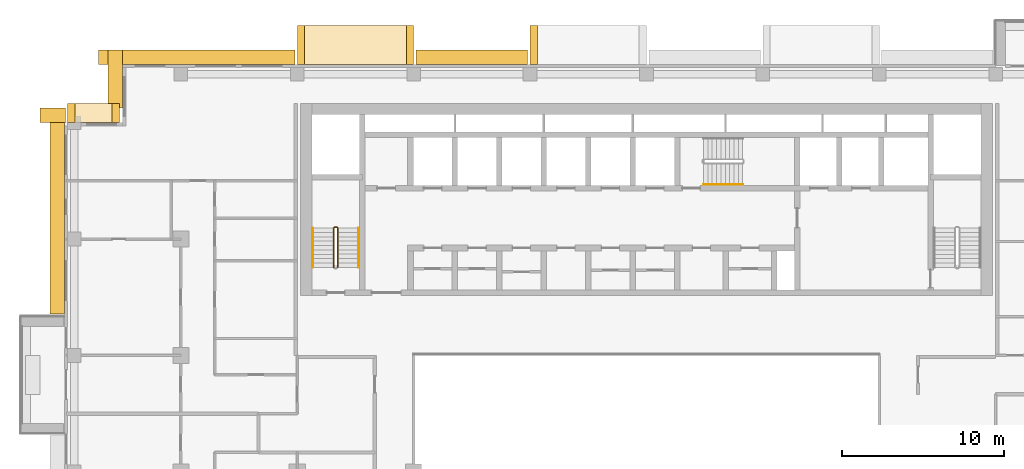
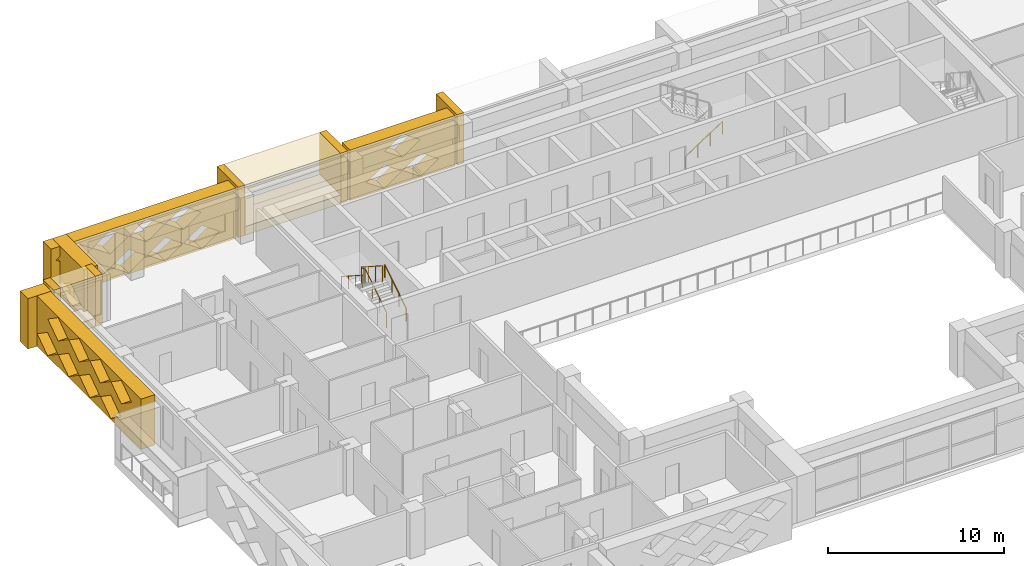
# One storey, part 17 of 19: 14 coverings, 4 railings.
"""IFC4 building model written with IfcOpenShell, lengths in metres."""

from ifc_helpers import new_model, si_unit, direction, frame, origin, origin_2d, place, context, subcontext, project, spatial, polyline, circle, outline, extrude, material, type_object, element, save


model = new_model("IFC4")

# Units and contexts
model_context = context("Model", 3, precision=1e-05, world=origin(), true_north=direction((0.0, 1.0)))
body_context = subcontext(model_context, "Body", "Model", "MODEL_VIEW")
ifc_project = project(units=[si_unit("LENGTHUNIT", "METRE"), si_unit("AREAUNIT", "SQUARE_METRE"), si_unit("VOLUMEUNIT", "CUBIC_METRE"), si_unit("PLANEANGLEUNIT", "RADIAN"), si_unit("MASSUNIT", "GRAM", prefix="KILO")], contexts=[model_context])

# Site, building, storey
site_placement = place(None, origin())
site = spatial("IfcSite", under=ifc_project, at=site_placement, CompositionType="ELEMENT")
building_placement = place(site_placement, origin())
building = spatial("IfcBuilding", under=site, at=building_placement, Name="Saffron Iwan Residences", CompositionType="ELEMENT")
storey_placement = place(building_placement, frame((0.0, 0.0, 160.5)))
storey = spatial("IfcBuildingStorey", under=building, at=storey_placement, Name="L42", CompositionType="ELEMENT", Elevation=160.5)

# Coverings
ifc_material_1 = material(Name="Precast concrete C40/50", Category="concrete")
covering_type_1 = type_object("IfcCoveringType", Name="OUTER SKIN LATTICE SCREEN", PredefinedType="CLADDING", material=ifc_material_1)
covering_1_placement = place(storey_placement, frame((43.050048828125, 80.39990234375, -0.300048828125), z_axis=(0.0, 1.0, 0.0), x_axis=(-1.0, 0.0, 0.0)))
element("IfcCovering", 1, at=covering_1_placement, inside=storey, type_object=covering_type_1, Name="OUTER SKIN lattice screen L42 F5.3", PredefinedType="CLADDING", context=body_context, shape_type="SweptSolid", body=[
    extrude(outline(polyline([(0.0, 0.0), (6.89990234375, 0.0), (6.89990234375, 3.5), (0.0, 3.5), (0.0, 0.0)]), holes=[polyline([(1.070068359375, 0.875), (2.25, 0.06005859375), (3.429931640625, 0.875), (2.25, 1.68994140625), (1.070068359375, 0.875)]), polyline([(3.469970703125, 0.875), (4.64990234375, 0.06005859375), (5.830078125, 0.875), (4.64990234375, 1.68994140625), (3.469970703125, 0.875)]), polyline([(2.27001953125, 2.625), (3.449951171875, 1.81005859375), (4.6298828125, 2.625), (3.449951171875, 3.43994140625), (2.27001953125, 2.625)])]), origin(), (0.0, 0.0, 1.0), 0.900146484375),
])
covering_2_placement = place(storey_placement, frame((28.64990234375, 80.39990234375, -0.300048828125), z_axis=(0.0, 1.0, 0.0), x_axis=(-1.0, 0.0, 0.0)))
element("IfcCovering", 2, at=covering_2_placement, inside=storey, type_object=covering_type_1, Name="OUTER SKIN lattice screen L42 F5.4", PredefinedType="CLADDING", context=body_context, shape_type="SweptSolid", body=[
    extrude(outline(polyline([(0.0, 0.0), (12.14990234375, 0.0), (12.14990234375, 3.5), (0.0, 3.5), (0.0, 0.0)]), holes=[polyline([(1.070068359375, 0.875), (2.25, 0.06005859375), (3.429931640625, 0.875), (2.25, 1.68994140625), (1.070068359375, 0.875)]), polyline([(3.469970703125, 0.875), (4.64990234375, 0.06005859375), (5.830078125, 0.875), (4.64990234375, 1.68994140625), (3.469970703125, 0.875)]), polyline([(5.8701171875, 0.875), (7.050048828125, 0.06005859375), (8.22998046875, 0.875), (7.050048828125, 1.68994140625), (5.8701171875, 0.875)]), polyline([(8.27001953125, 0.875), (9.449951171875, 0.06005859375), (10.6298828125, 0.875), (9.449951171875, 1.68994140625), (8.27001953125, 0.875)]), polyline([(2.27001953125, 2.625), (3.449951171875, 1.81005859375), (4.6298828125, 2.625), (3.449951171875, 3.43994140625), (2.27001953125, 2.625)]), polyline([(4.669921875, 2.625), (5.85009765625, 1.81005859375), (7.030029296875, 2.625), (5.85009765625, 3.43994140625), (4.669921875, 2.625)]), polyline([(7.070068359375, 2.625), (8.25, 1.81005859375), (9.429931640625, 2.625), (8.25, 3.43994140625), (7.070068359375, 2.625)]), polyline([(9.469970703125, 2.625), (10.64990234375, 1.81005859375), (11.830078125, 2.625), (10.64990234375, 3.43994140625), (9.469970703125, 2.625)])]), origin(), (0.0, 0.0, 1.0), 0.900146484375),
])
covering_3_placement = place(storey_placement, frame((18.0, 81.300048828125, -0.300048828125), z_axis=(-1.0, 0.0, 0.0), x_axis=(0.0, -1.0, 0.0)))
element("IfcCovering", 3, at=covering_3_placement, inside=storey, type_object=covering_type_1, Name="OUTER SKIN lattice screen L42 F6.0", PredefinedType="CLADDING", context=body_context, shape_type="SweptSolid", body=[
    extrude(outline(polyline([(0.0, 0.0), (3.60009765625, 0.0), (3.60009765625, 3.5), (0.0, 3.5), (0.0, 0.0)]), holes=[polyline([(0.919921875, 0.875), (2.10009765625, 0.06005859375), (3.280029296875, 0.875), (2.10009765625, 1.68994140625), (0.919921875, 0.875)])]), origin(), (0.0, 0.0, 1.0), 0.89990234375),
])
covering_4_placement = place(storey_placement, frame((14.449951171875, 76.800048828125, -0.300048828125), z_axis=(0.0, 1.0, 0.0), x_axis=(-1.0, 0.0, 0.0)))
element("IfcCovering", 4, at=covering_4_placement, inside=storey, type_object=covering_type_1, Name="OUTER SKIN lattice screen L42 F7.0", PredefinedType="CLADDING", context=body_context, shape_type="SweptSolid", body=[
    extrude(outline(polyline([(0.0, 0.0), (1.550048828125, 0.0), (1.550048828125, 3.5), (0.0, 3.5), (0.0, 0.0)])), origin(), (0.0, 0.0, 1.0), 0.89990234375),
])
covering_5_placement = place(storey_placement, frame((14.39990234375, 77.699951171875, -0.300048828125), z_axis=(-1.0, 0.0, 0.0), x_axis=(0.0, -1.0, 0.0)))
element("IfcCovering", 5, at=covering_5_placement, inside=storey, type_object=covering_type_1, Name="OUTER SKIN lattice screen L42 F8.0", PredefinedType="CLADDING", context=body_context, shape_type="SweptSolid", body=[
    extrude(outline(polyline([(0.0, 0.0), (12.75, 0.0), (12.75, 3.5), (0.0, 3.5), (0.0, 0.0)]), holes=[polyline([(0.919921875, 0.875), (2.10009765625, 0.06005859375), (3.280029296875, 0.875), (2.10009765625, 1.68994140625), (0.919921875, 0.875)]), polyline([(3.320068359375, 0.875), (4.5, 0.06005859375), (5.679931640625, 0.875), (4.5, 1.68994140625), (3.320068359375, 0.875)]), polyline([(5.719970703125, 0.875), (6.89990234375, 0.06005859375), (8.080078125, 0.875), (6.89990234375, 1.68994140625), (5.719970703125, 0.875)]), polyline([(8.1201171875, 0.875), (9.300048828125, 0.06005859375), (10.47998046875, 0.875), (9.300048828125, 1.68994140625), (8.1201171875, 0.875)]), polyline([(2.1201171875, 2.625), (3.300048828125, 1.81005859375), (4.47998046875, 2.625), (3.300048828125, 3.43994140625), (2.1201171875, 2.625)]), polyline([(4.52001953125, 2.625), (5.699951171875, 1.81005859375), (6.8798828125, 2.625), (5.699951171875, 3.43994140625), (4.52001953125, 2.625)]), polyline([(6.919921875, 2.625), (8.10009765625, 1.81005859375), (9.280029296875, 2.625), (8.10009765625, 3.43994140625), (6.919921875, 2.625)]), polyline([(9.320068359375, 2.625), (10.5, 1.81005859375), (11.679931640625, 2.625), (10.5, 3.43994140625), (9.320068359375, 2.625)])]), origin(), (0.0, 0.0, 1.0), 0.89990234375),
])

# Railings
ifc_material_2 = material(Name="Steel S355", Category="steel")
railing_type_1 = type_object("IfcRailingType", Name="Stair guard 1100", PredefinedType="GUARDRAIL", material=ifc_material_2)
railing_1_placement = place(storey_placement, frame((31.300048828125, 67.85009765625, 0.175048828125)))
element("IfcRailing", 6, at=railing_1_placement, inside=storey, type_object=railing_type_1, Name="L42 ST-W stair guard 1", PredefinedType="GUARDRAIL", context=body_context, shape_type="SweptSolid", body=[
    extrude(circle(Radius=0.02392578125, at=origin_2d()), frame((0.0, 0.0, 1.076171875), z_axis=(0.0, 0.839153699163, 0.543894354798), x_axis=(-1.0, 0.0, 0.0)), (0.0, 0.0, 1.0), 2.895751953125),
    extrude(circle(Radius=0.02392578125, at=origin_2d()), frame((0.0, 2.429931640625, 2.65087890625), z_axis=(-0.707106781187, 0.707106781187, 0.0), x_axis=(-0.707106781187, -0.707106781187, 0.0)), (0.0, 0.0, 1.0), 0.07080078125),
    extrude(circle(Radius=0.02392578125, at=origin_2d()), frame((-0.050048828125, 2.47998046875, 2.65087890625), z_axis=(-1.0, 0.0, 0.0), x_axis=(0.0, -1.0, 0.0)), (0.0, 0.0, 1.0), 0.14990234375),
    extrude(circle(Radius=0.02392578125, at=origin_2d()), frame((-0.199951171875, 2.47998046875, 2.65087890625), z_axis=(-0.265065253269, -0.265065253269, 0.927081885822), x_axis=(0.707106781187, -0.707106781187, 0.0)), (0.0, 0.0, 1.0), 0.188720703125),
    extrude(circle(Radius=0.02392578125, at=origin_2d()), frame((-0.25, 2.429931640625, 2.826171875), z_axis=(0.0, -0.839153699163, 0.543894354798), x_axis=(1.0, 0.0, 0.0)), (0.0, 0.0, 1.0), 2.895751953125),
    extrude(circle(Radius=0.02099609375, at=origin_2d()), origin(), (0.0, 0.0, 1.0), 1.052001953125),
    extrude(circle(Radius=0.02099609375, at=origin_2d()), frame((0.0, 0.81005859375, 0.52490234375)), (0.0, 0.0, 1.0), 1.052001953125),
    extrude(circle(Radius=0.02099609375, at=origin_2d()), frame((0.0, 1.619873046875, 1.050048828125)), (0.0, 0.0, 1.0), 1.052001953125),
    extrude(circle(Radius=0.02099609375, at=origin_2d()), frame((0.0, 2.429931640625, 1.574951171875)), (0.0, 0.0, 1.0), 1.052001953125),
    extrude(circle(Radius=0.02099609375, at=origin_2d()), frame((-0.050048828125, 2.47998046875, 1.574951171875)), (0.0, 0.0, 1.0), 1.052001953125),
    extrude(circle(Radius=0.02099609375, at=origin_2d()), frame((-0.199951171875, 2.47998046875, 1.574951171875)), (0.0, 0.0, 1.0), 1.052001953125),
    extrude(circle(Radius=0.02099609375, at=origin_2d()), frame((-0.25, 2.429931640625, 1.75)), (0.0, 0.0, 1.0), 1.052001953125),
    extrude(circle(Radius=0.02099609375, at=origin_2d()), frame((-0.25, 1.619873046875, 2.27490234375)), (0.0, 0.0, 1.0), 1.052001953125),
    extrude(circle(Radius=0.02099609375, at=origin_2d()), frame((-0.25, 0.81005859375, 2.800048828125)), (0.0, 0.0, 1.0), 1.052001953125),
    extrude(circle(Radius=0.02099609375, at=origin_2d()), frame((-0.25, 0.0, 3.324951171875)), (0.0, 0.0, 1.0), 1.052001953125),
])
ifc_material_3 = material(Name="Stainless steel 316", Category="steel")
railing_type_2 = type_object("IfcRailingType", Name="Stair handrail 900", PredefinedType="HANDRAIL", material=ifc_material_3)
railing_2_placement = place(storey_placement, frame((32.60009765625, 67.85009765625, 0.175048828125)))
element("IfcRailing", 7, at=railing_2_placement, inside=storey, type_object=railing_type_2, Name="L42 ST-W stair handrail 1", PredefinedType="HANDRAIL", context=body_context, shape_type="SweptSolid", body=[
    extrude(circle(Radius=0.02392578125, at=origin_2d()), frame((0.0, 0.0, 0.8759765625), z_axis=(0.0, 0.839153699163, 0.543894354798), x_axis=(-1.0, 0.0, 0.0)), (0.0, 0.0, 1.0), 2.895751953125),
    extrude(circle(Radius=0.02099609375, at=origin_2d()), origin(), (0.0, 0.0, 1.0), 0.851806640625),
    extrude(circle(Radius=0.02099609375, at=origin_2d()), frame((0.0, 0.81005859375, 0.52490234375)), (0.0, 0.0, 1.0), 0.851806640625),
    extrude(circle(Radius=0.02099609375, at=origin_2d()), frame((0.0, 1.619873046875, 1.050048828125)), (0.0, 0.0, 1.0), 0.851806640625),
    extrude(circle(Radius=0.02099609375, at=origin_2d()), frame((0.0, 2.429931640625, 1.574951171875)), (0.0, 0.0, 1.0), 0.851806640625),
])
railing_3_placement = place(storey_placement, frame((29.75, 70.280029296875, 1.925048828125)))
element("IfcRailing", 8, at=railing_3_placement, inside=storey, type_object=railing_type_2, Name="L42 ST-W stair handrail 2", PredefinedType="HANDRAIL", context=body_context, shape_type="SweptSolid", body=[
    extrude(circle(Radius=0.02392578125, at=origin_2d()), frame((0.0, 0.0, 0.8759765625), z_axis=(0.0, -0.839153699163, 0.543894354798), x_axis=(1.0, 0.0, 0.0)), (0.0, 0.0, 1.0), 2.895751953125),
    extrude(circle(Radius=0.02099609375, at=origin_2d()), origin(), (0.0, 0.0, 1.0), 0.851806640625),
    extrude(circle(Radius=0.02099609375, at=origin_2d()), frame((0.0, -0.81005859375, 0.52490234375)), (0.0, 0.0, 1.0), 0.851806640625),
    extrude(circle(Radius=0.02099609375, at=origin_2d()), frame((0.0, -1.619873046875, 1.050048828125)), (0.0, 0.0, 1.0), 0.851806640625),
    extrude(circle(Radius=0.02099609375, at=origin_2d()), frame((0.0, -2.429931640625, 1.574951171875)), (0.0, 0.0, 1.0), 0.851806640625),
])
railing_4_placement = place(storey_placement, frame((53.925048828125, 72.97509765625, 0.175048828125)))
element("IfcRailing", 9, at=railing_4_placement, inside=storey, type_object=railing_type_2, Name="L42 ST-C stair handrail 1", PredefinedType="HANDRAIL", context=body_context, shape_type="SweptSolid", body=[
    extrude(circle(Radius=0.02392578125, at=origin_2d()), frame((0.0, 0.0, 0.8759765625), z_axis=(0.839153699163, 0.0, 0.543894354798), x_axis=(0.0, 1.0, 0.0)), (0.0, 0.0, 1.0), 2.895751953125),
    extrude(circle(Radius=0.02099609375, at=origin_2d()), origin(), (0.0, 0.0, 1.0), 0.851806640625),
    extrude(circle(Radius=0.02099609375, at=origin_2d()), frame((0.81005859375, 0.0, 0.52490234375)), (0.0, 0.0, 1.0), 0.851806640625),
    extrude(circle(Radius=0.02099609375, at=origin_2d()), frame((1.619873046875, 0.0, 1.050048828125)), (0.0, 0.0, 1.0), 0.851806640625),
    extrude(circle(Radius=0.02099609375, at=origin_2d()), frame((2.429931640625, 0.0, 1.574951171875)), (0.0, 0.0, 1.0), 0.851806640625),
])

# Coverings
ifc_material_4 = material(Name="Precast concrete C40/50 white painted", Category="concrete")
covering_type_2 = type_object("IfcCoveringType", Name="WHITE SUN FRAME PRECAST", PredefinedType="CLADDING", material=ifc_material_4)
for number, where, z_axis, x_axis, name in (
    (10, (43.64990234375, 80.39990234375, -0.300048828125), (0.0, 1.0, 0.0), (-1.0, 0.0, 0.0), "Sun frame L42 F5 32.4b"),
    (11, (36.0, 80.39990234375, -0.300048828125), (0.0, 1.0, 0.0), (-1.0, 0.0, 0.0), "Sun frame L42 F5 46.8a"),
    (12, (29.25, 80.39990234375, -0.300048828125), (0.0, 1.0, 0.0), (-1.0, 0.0, 0.0), "Sun frame L42 F5 46.8b"),
):
    element("IfcCovering", number, at=place(storey_placement, frame(where, z_axis=z_axis, x_axis=x_axis)), inside=storey, type_object=covering_type_2, Name=name, PredefinedType="CLADDING", context=body_context, shape_type="SweptSolid", body=[
        extrude(outline(polyline([(0.0, 0.0), (0.449951171875, 0.0), (0.449951171875, 3.5), (0.0, 3.5), (0.0, 0.0)])), origin(), (0.0, 0.0, 1.0), 2.400146484375),
    ])
for number, where, z_axis, x_axis, name in (
    (13, (35.550048828125, 80.39990234375, 2.60009765625), (0.0, 1.0, 0.0), (-1.0, 0.0, 0.0), "Sun frame L42 F5 46.8h"),
    (14, (35.550048828125, 80.39990234375, -0.300048828125), (0.0, 1.0, 0.0), (-1.0, 0.0, 0.0), "Sun frame L42 F5 46.8s"),
):
    element("IfcCovering", number, at=place(storey_placement, frame(where, z_axis=z_axis, x_axis=x_axis)), inside=storey, type_object=covering_type_2, Name=name, PredefinedType="CLADDING", context=body_context, shape_type="SweptSolid", body=[
        extrude(outline(polyline([(0.0, 0.0), (6.300048828125, 0.0), (6.300048828125, 0.60009765625), (0.0, 0.60009765625), (0.0, 0.0)])), origin(), (0.0, 0.0, 1.0), 2.400146484375),
    ])
for number, where, z_axis, x_axis, name in (
    (15, (17.800048828125, 76.800048828125, -0.300048828125), (0.0, 1.0, 0.0), (-1.0, 0.0, 0.0), "Sun frame L42 F7 0.2a"),
    (16, (15.050048828125, 76.800048828125, -0.300048828125), (0.0, 1.0, 0.0), (-1.0, 0.0, 0.0), "Sun frame L42 F7 0.2b"),
):
    element("IfcCovering", number, at=place(storey_placement, frame(where, z_axis=z_axis, x_axis=x_axis)), inside=storey, type_object=covering_type_2, Name=name, PredefinedType="CLADDING", context=body_context, shape_type="SweptSolid", body=[
        extrude(outline(polyline([(0.0, 0.0), (0.449951171875, 0.0), (0.449951171875, 3.5), (0.0, 3.5), (0.0, 0.0)])), origin(), (0.0, 0.0, 1.0), 1.199951171875),
    ])
for number, where, z_axis, x_axis, name in (
    (17, (17.35009765625, 76.800048828125, 2.60009765625), (0.0, 1.0, 0.0), (-1.0, 0.0, 0.0), "Sun frame L42 F7 0.2h"),
    (18, (17.35009765625, 76.800048828125, -0.300048828125), (0.0, 1.0, 0.0), (-1.0, 0.0, 0.0), "Sun frame L42 F7 0.2s"),
):
    element("IfcCovering", number, at=place(storey_placement, frame(where, z_axis=z_axis, x_axis=x_axis)), inside=storey, type_object=covering_type_2, Name=name, PredefinedType="CLADDING", context=body_context, shape_type="SweptSolid", body=[
        extrude(outline(polyline([(0.0, 0.0), (2.300048828125, 0.0), (2.300048828125, 0.60009765625), (0.0, 0.60009765625), (0.0, 0.0)])), origin(), (0.0, 0.0, 1.0), 1.199951171875),
    ])

save(model, "model.ifc")
